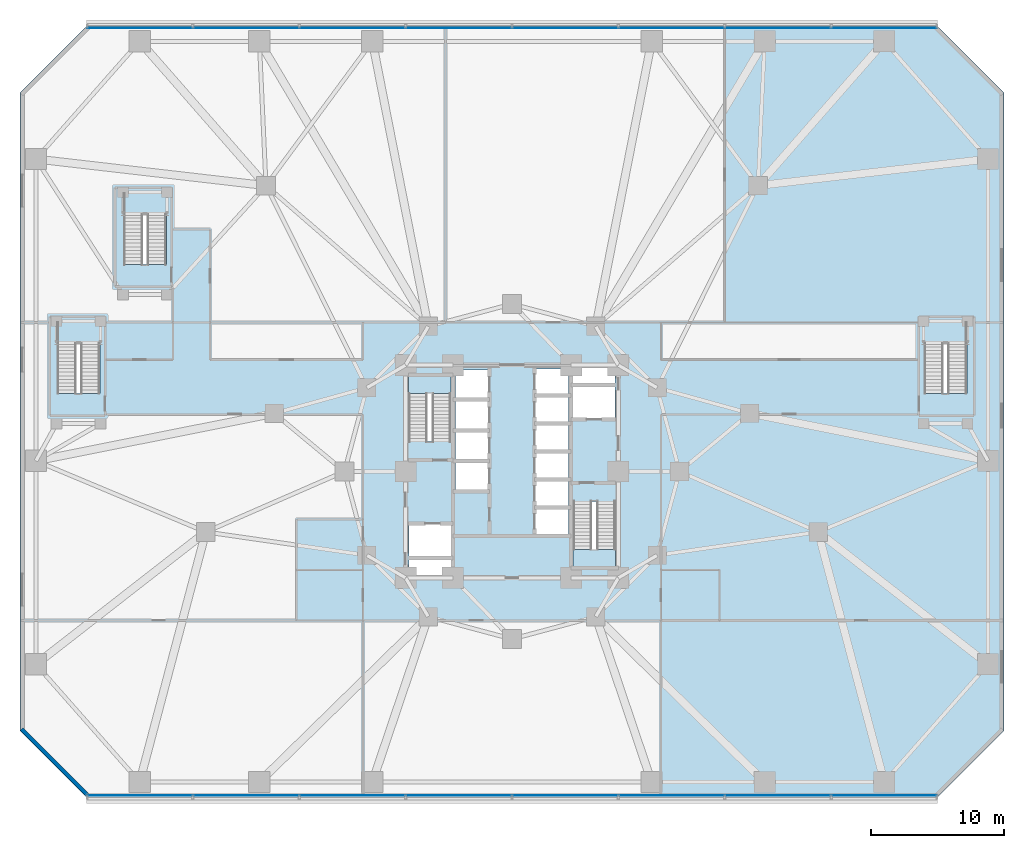
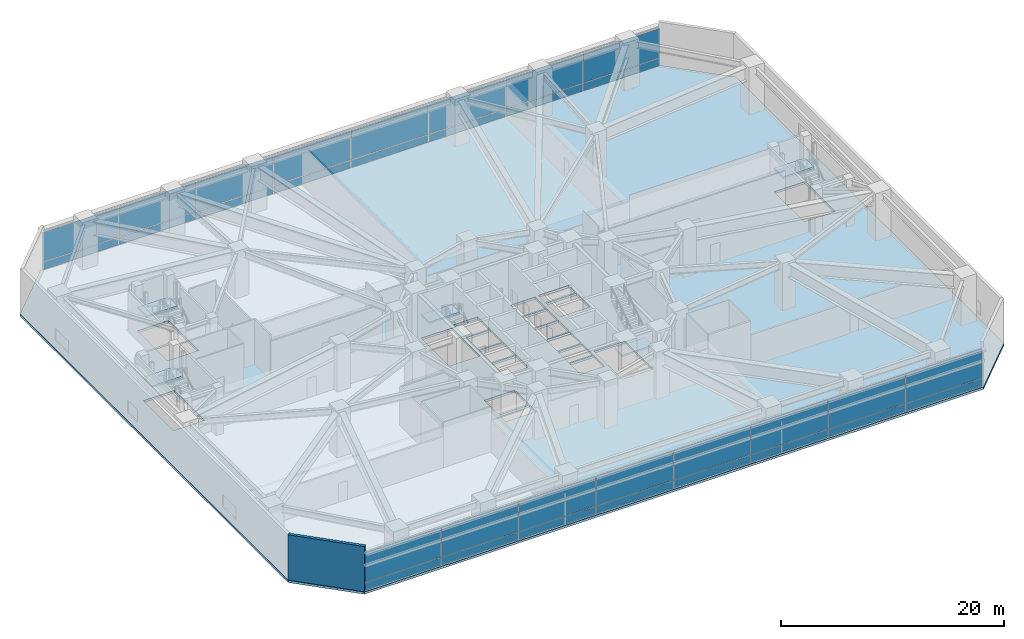
# One storey, part 14 of 27: 32 plates, 6 slabs, 1 wall, 7 elements without a shape of their own.
"""IFC4 building model written with IfcOpenShell, lengths in metres."""

import ifcopenshell
import ifcopenshell.guid

model = None  # the IFC model being written
_history = None  # IfcOwnerHistory: only IFC2X3 demands one
_inside = {}  # id of a spatial element -> (the spatial element, [elements in it])
_under = {}  # id of a project, library or spatial element -> (it, [spatial elements below it])
_declared = {}  # id of a project -> (the project, [libraries it declares])
_typed = {}  # id of a type object -> (the type object, [elements of that type])
_made_of = {}  # id of a material, layer set ... -> (it, [elements and type objects made of it])


def new_model(schema):
    """Start an empty IFC model of exactly this schema.

    Asked for "IFC4X3", IfcOpenShell would pick the latest addendum, in which some entities
    have other attributes; the version numbers below select the first issue.
    IFC2X3 requires an IfcOwnerHistory on every rooted entity: one is made here for all.
    """
    global model, _history
    if schema == "IFC4X3":
        model = ifcopenshell.file(schema_version=(4, 3, 0, 0))
    else:
        model = ifcopenshell.file(schema=schema)
    _inside.clear()
    _under.clear()
    _declared.clear()
    _typed.clear()
    _made_of.clear()
    _history = None
    if model.schema == "IFC2X3":
        org = make("IfcOrganization", Name="unknown")
        user = make(
            "IfcPersonAndOrganization",
            ThePerson=make("IfcPerson", FamilyName="unknown"),
            TheOrganization=org,
        )
        app = make(
            "IfcApplication",
            ApplicationDeveloper=org,
            Version="unknown",
            ApplicationFullName="unknown",
            ApplicationIdentifier="unknown",
        )
        _history = make(
            "IfcOwnerHistory",
            OwningUser=user,
            OwningApplication=app,
            ChangeAction="ADDED",
            CreationDate=0,
        )
    return model


def make(cls, **values):
    """One entity of the class cls with the attributes given. An attribute that is None is left unset."""
    return model.create_entity(
        cls, **{name: value for name, value in values.items() if value is not None}
    )


def rooted(cls, **values):
    """An entity with a GlobalId (a new one), such as an element, a storey or a relation."""
    return make(cls, GlobalId=ifcopenshell.guid.new(), OwnerHistory=_history, **values)


def si_unit(unit_type, name, prefix=None):
    """IfcSIUnit, for example si_unit("LENGTHUNIT", "METRE", prefix="MILLI")."""
    return make("IfcSIUnit", UnitType=unit_type, Prefix=prefix, Name=name)


def assignment(units):
    """IfcUnitAssignment: the units of a project."""
    return None if units is None else make("IfcUnitAssignment", Units=units)


def point(xyz):
    """IfcCartesianPoint."""
    return None if xyz is None else make("IfcCartesianPoint", Coordinates=xyz)


def direction(xyz):
    """IfcDirection."""
    return None if xyz is None else make("IfcDirection", DirectionRatios=xyz)


def frame(location, z_axis=None, x_axis=None):
    """IfcAxis2Placement3D, a coordinate frame: its origin and axes. An axis left out is left unset."""
    return make(
        "IfcAxis2Placement3D",
        Location=point(location),
        Axis=direction(z_axis),
        RefDirection=direction(x_axis),
    )


def frame_2d(location, x_axis=None):
    """IfcAxis2Placement2D, a coordinate frame in the plane: its origin and x axis."""
    return make(
        "IfcAxis2Placement2D", Location=point(location), RefDirection=direction(x_axis)
    )


def origin():
    """The frame at (0, 0, 0) with its axes left unset."""
    return frame((0.0, 0.0, 0.0))


def origin_2d():
    """The frame at (0, 0) in the plane with its x axis left unset."""
    return frame_2d((0.0, 0.0))


def place(relative_to, where):
    """IfcLocalPlacement: puts the frame where relative to a parent placement (None: the world)."""
    return make(
        "IfcLocalPlacement", PlacementRelTo=relative_to, RelativePlacement=where
    )


def context(
    kind, dimensions, precision=None, world=None, true_north=None, identifier=None
):
    """IfcGeometricRepresentationContext, for example the 3D "Model" context."""
    return make(
        "IfcGeometricRepresentationContext",
        ContextIdentifier=identifier,
        ContextType=kind,
        CoordinateSpaceDimension=dimensions,
        Precision=precision,
        WorldCoordinateSystem=world,
        TrueNorth=true_north,
    )


def subcontext(parent, identifier, kind, view, scale=None):
    """IfcGeometricRepresentationSubContext, for example "Body" below "Model"."""
    return make(
        "IfcGeometricRepresentationSubContext",
        ContextIdentifier=identifier,
        ContextType=kind,
        ParentContext=parent,
        TargetScale=scale,
        TargetView=view,
    )


def project(units=None, contexts=None):
    """IfcProject with its units and contexts."""
    return rooted(
        "IfcProject",
        Name="project",
        RepresentationContexts=contexts,
        UnitsInContext=assignment(units),
    )


def spatial(cls, under=None, at=None, **own):
    """A site, building, storey or space (cls), placed at a placement, below another one or the project."""
    s = rooted(cls, ObjectPlacement=at, **own)
    if under is not None:
        _under.setdefault(under.id(), (under, []))[1].append(s)
    return s


def polyline(points):
    """IfcPolyline through the points."""
    return make("IfcPolyline", Points=[point(p) for p in points])


def profile(cls, at=None, kind="AREA", **sizes):
    """A parametric profile (cls). Its sizes go by their IFC names, for example OverallWidth=200.0."""
    return make(cls, ProfileType=kind, Position=at, **sizes)


def rectangle(**sizes):
    """IfcRectangleProfileDef."""
    return profile("IfcRectangleProfileDef", **sizes)


def outline(outer, holes=None, kind="AREA"):
    """IfcArbitraryClosedProfileDef: a profile drawn as a closed curve; with holes, ...WithVoids."""
    if holes is None:
        return make("IfcArbitraryClosedProfileDef", ProfileType=kind, OuterCurve=outer)
    return make(
        "IfcArbitraryProfileDefWithVoids",
        ProfileType=kind,
        OuterCurve=outer,
        InnerCurves=holes,
    )


def extrude(swept, where, along, depth):
    """IfcExtrudedAreaSolid: the profile swept, set in the frame where, extruded along a direction by depth."""
    return make(
        "IfcExtrudedAreaSolid",
        SweptArea=swept,
        Position=where,
        ExtrudedDirection=direction(along),
        Depth=depth,
    )


def shape(context_of_items, identifier, shape_type, items):
    """IfcShapeRepresentation: the items that make up one representation, for example the "Body"."""
    return make(
        "IfcShapeRepresentation",
        ContextOfItems=context_of_items,
        RepresentationIdentifier=identifier,
        RepresentationType=shape_type,
        Items=items,
    )


def material(Name=None, Category=None):
    """IfcMaterial."""
    return make("IfcMaterial", Name=Name, Category=Category)


def layer(
    of_material, thickness, ventilated=None, Name=None, Category=None, Priority=None
):
    """IfcMaterialLayer: one layer of a wall or slab, of a material (None: an air gap)."""
    return make(
        "IfcMaterialLayer",
        Material=of_material,
        LayerThickness=thickness,
        IsVentilated=ventilated,
        Name=Name,
        Category=Category,
        Priority=Priority,
    )


def layer_set(layers, Name=None):
    """IfcMaterialLayerSet."""
    return make("IfcMaterialLayerSet", MaterialLayers=layers, LayerSetName=Name)


def made_of(thing, what):
    """Note that an element or type object is made of a material, layer set ...; save() writes the relation."""
    if what is not None:
        _made_of.setdefault(what.id(), (what, []))[1].append(thing)
    return thing


def type_object(cls, material=None, **own):
    """A type object (cls), such as IfcWallType, which elements share."""
    return made_of(rooted(cls, **own), material)


def element(
    cls,
    number,
    at=None,
    inside=None,
    cuts=None,
    type_object=None,
    material=None,
    context=None,
    identifier="Body",
    shape_type=None,
    held_by="IfcProductDefinitionShape",
    body=None,
    shapes=None,
    **own,
):
    """One element of the class cls, such as IfcWall. Its Tag is "e" and its number.

    at: its placement. inside: the storey or other place that contains it. cuts: it is an
    opening in that element (IfcRelVoidsElement). A single representation is given by context,
    identifier, shape_type and body (its items); several are given by shapes. held_by: the class
    of the entity that holds the representations. save() writes the other relations.
    """
    e = rooted(cls, Tag="e%d" % number, ObjectPlacement=at, **own)
    if body is not None:
        shapes = [shape(context, identifier, shape_type, body)]
    if shapes is not None:
        e.Representation = make(held_by, Representations=shapes)
    if inside is not None:
        _inside.setdefault(inside.id(), (inside, []))[1].append(e)
    if cuts is not None:
        rooted(
            "IfcRelVoidsElement", RelatingBuildingElement=cuts, RelatedOpeningElement=e
        )
    if type_object is not None:
        _typed.setdefault(type_object.id(), (type_object, []))[1].append(e)
    return made_of(e, material)


def aggregate(whole, parts):
    """IfcRelAggregates: a whole, such as a stair, and the parts it consists of."""
    return rooted("IfcRelAggregates", RelatingObject=whole, RelatedObjects=parts)


def save(model, path):
    """Write the relations noted so far, then the file.

    IfcRelAggregates (storeys below a building ...), IfcRelContainedInSpatialStructure (elements
    in a storey), IfcRelDefinesByType, IfcRelAssociatesMaterial and IfcRelDeclares: one each for
    every whole, place, type object, material and project.
    """
    for whole, parts in _under.values():
        aggregate(whole, parts)
    for where, things in _inside.values():
        rooted(
            "IfcRelContainedInSpatialStructure",
            RelatedElements=things,
            RelatingStructure=where,
        )
    for kind, things in _typed.values():
        rooted("IfcRelDefinesByType", RelatedObjects=things, RelatingType=kind)
    for what, things in _made_of.values():
        rooted("IfcRelAssociatesMaterial", RelatedObjects=things, RelatingMaterial=what)
    for by, libraries in _declared.values():
        rooted("IfcRelDeclares", RelatingContext=by, RelatedDefinitions=libraries)
    model.write(path)


model = new_model("IFC4")

# Units and contexts
model_context = context("Model", 3, precision=1e-05, world=origin(), true_north=direction((0.0, 1.0)))
body_context = subcontext(model_context, "Body", "Model", "MODEL_VIEW")
ifc_project = project(units=[si_unit("LENGTHUNIT", "METRE"), si_unit("AREAUNIT", "SQUARE_METRE"), si_unit("VOLUMEUNIT", "CUBIC_METRE"), si_unit("PLANEANGLEUNIT", "RADIAN"), si_unit("MASSUNIT", "GRAM", prefix="KILO")], contexts=[model_context])

# Site, building, storey
site_placement = place(None, origin())
site = spatial("IfcSite", under=ifc_project, at=site_placement, CompositionType="ELEMENT")
building_placement = place(site_placement, origin())
building = spatial("IfcBuilding", under=site, at=building_placement, Name="Terralouvre Media Tower", CompositionType="ELEMENT")
storey_placement = place(building_placement, frame((0.0, 0.0, 5.199951171875)))
storey = spatial("IfcBuildingStorey", under=building, at=storey_placement, Name="L01", CompositionType="ELEMENT", Elevation=5.199951171875)

# Slab
ifc_material_1 = material(Name="Concrete C45/55", Category="concrete")
ifc_layer_1 = layer(ifc_material_1, 0.25, Name="Podium Acoustic Studio Slab S-POD250")
ifc_layer_set_1 = layer_set([ifc_layer_1], Name="Concrete C45/55")
slab_type_1 = type_object("IfcSlabType", Name="Podium Acoustic Studio Slab S-POD250", PredefinedType="FLOOR", material=ifc_layer_set_1)
slab_1_placement = place(storey_placement, frame((0.0, 0.0, -0.25)))
element("IfcSlab", 1, at=slab_1_placement, inside=storey, type_object=slab_type_1, Name="L01 Structural Floor Slab", PredefinedType="FLOOR", context=body_context, shape_type="SweptSolid", body=[
    extrude(outline(polyline([(-32.0, -24.5), (32.0, -24.5), (37.0, -19.5), (37.0, 28.5), (32.0, 33.5), (-32.0, 33.5), (-37.0, 28.5), (-37.0, -19.5), (-32.0, -24.5)]), holes=[polyline([(-4.60009765625, -7.800048828125), (-7.75, -7.800048828125), (-7.75, -6.60009765625), (-4.60009765625, -6.60009765625), (-4.60009765625, -7.800048828125)]), polyline([(-4.60009765625, -6.39990234375), (-7.75, -6.39990234375), (-7.75, -3.949951171875), (-4.60009765625, -3.949951171875), (-4.60009765625, -6.39990234375)]), polyline([(-1.75, -1.419921875), (-4.25, -1.419921875), (-4.25, 0.719970703125), (-1.75, 0.719970703125), (-1.75, -1.419921875)]), polyline([(4.25, -0.52001953125), (1.75, -0.52001953125), (1.75, 1.419921875), (4.25, 1.419921875), (4.25, -0.52001953125)]), polyline([(-1.75, 0.8798828125), (-4.25, 0.8798828125), (-4.25, 3.02001953125), (-1.75, 3.02001953125), (-1.75, 0.8798828125)]), polyline([(-1.75, 3.179931640625), (-4.25, 3.179931640625), (-4.25, 5.320068359375), (-1.75, 5.320068359375), (-1.75, 3.179931640625)]), polyline([(-4.60009765625, 2.2451171875), (-7.780029296875, 2.2451171875), (-7.780029296875, 7.260009765625), (-4.60009765625, 7.260009765625), (-4.60009765625, 2.2451171875)]), polyline([(-4.25, 5.47998046875), (-4.25, 7.6201171875), (-1.75, 7.6201171875), (-1.75, 5.47998046875), (-4.25, 5.47998046875)]), polyline([(-34.199951171875, 5.875), (-34.199951171875, 11.25), (-31.0, 11.25), (-31.0, 5.875), (-34.199951171875, 5.875)]), polyline([(-26.0, 15.574951171875), (-29.199951171875, 15.574951171875), (-29.199951171875, 20.949951171875), (-26.0, 20.949951171875), (-26.0, 15.574951171875)]), polyline([(4.60009765625, -2.2451171875), (7.780029296875, -2.2451171875), (7.780029296875, -7.260009765625), (4.60009765625, -7.260009765625), (4.60009765625, -2.2451171875)]), polyline([(4.25, -4.719970703125), (1.75, -4.719970703125), (1.75, -2.780029296875), (4.25, -2.780029296875), (4.25, -4.719970703125)]), polyline([(1.75, -2.6201171875), (1.75, -0.679931640625), (4.25, -0.679931640625), (4.25, -2.6201171875), (1.75, -2.6201171875)]), polyline([(1.75, 1.580078125), (1.75, 3.52001953125), (4.25, 3.52001953125), (4.25, 1.580078125), (1.75, 1.580078125)]), polyline([(4.25, 3.679931640625), (1.75, 3.679931640625), (1.75, 5.6201171875), (4.25, 5.6201171875), (4.25, 3.679931640625)]), polyline([(7.75, 3.949951171875), (4.60009765625, 3.949951171875), (4.60009765625, 6.39990234375), (7.75, 6.39990234375), (7.75, 3.949951171875)]), polyline([(4.25, 5.780029296875), (1.75, 5.780029296875), (1.75, 7.719970703125), (4.25, 7.719970703125), (4.25, 5.780029296875)]), polyline([(4.60009765625, 6.60009765625), (4.60009765625, 7.800048828125), (7.75, 7.800048828125), (7.75, 6.60009765625), (4.60009765625, 6.60009765625)]), polyline([(31.0, 5.875), (31.0, 11.25), (34.199951171875, 11.25), (34.199951171875, 5.875), (31.0, 5.875)])]), origin(), (0.0, 0.0, 1.0), 0.25),
])

# Stair, slab
ifc_material_2 = material(Name="Concrete C45/55", Category="concrete")
stair_type_1 = type_object("IfcStairType", Name="Dogleg Stair Assembly ST-01", PredefinedType="HALF_TURN_STAIR", material=ifc_material_2)
stair_1_placement = place(storey_placement, origin())
stair_1 = element("IfcStair", 2, at=stair_1_placement, inside=storey, type_object=stair_type_1, Name="L01 Core Pressurised Exit Stair ST-01", PredefinedType="HALF_TURN_STAIR")
ifc_material_3 = material(Name="Concrete C45/55", Category="concrete")
ifc_layer_2 = layer(ifc_material_3, 0.199951171875, Name="Reinforced Concrete Stair Half-Landing SL-LD1")
ifc_layer_set_2 = layer_set([ifc_layer_2], Name="Concrete C45/55")
slab_type_2 = type_object("IfcSlabType", Name="Reinforced Concrete Stair Half-Landing SL-LD1", PredefinedType="LANDING", material=ifc_layer_set_2)
slab_2_placement = place(storey_placement, frame((0.0, 0.0, 2.400146484375)))
slab_2 = element("IfcSlab", 3, at=slab_2_placement, type_object=slab_type_2, Name="ST-01 landing 1", PredefinedType="LANDING", context=body_context, shape_type="SweptSolid", body=[
    extrude(outline(polyline([(-4.60009765625, 5.860107421875), (-4.60009765625, 7.260009765625), (-7.780029296875, 7.260009765625), (-7.780029296875, 5.860107421875), (-4.60009765625, 5.860107421875)])), origin(), (0.0, 0.0, 1.0), 0.199951171875),
])
aggregate(stair_1, [slab_2])

ifc_material_4 = material(Name="Concrete C45/55", Category="concrete")
stair_type_2 = type_object("IfcStairType", Name="Dogleg Stair Assembly ST-02", PredefinedType="HALF_TURN_STAIR", material=ifc_material_4)
stair_2_placement = place(storey_placement, origin())
stair_2 = element("IfcStair", 4, at=stair_2_placement, inside=storey, type_object=stair_type_2, Name="L01 Core Pressurised Exit Stair ST-02", PredefinedType="HALF_TURN_STAIR")
slab_3_placement = place(storey_placement, frame((0.0, 0.0, 2.400146484375)))
slab_3 = element("IfcSlab", 5, at=slab_3_placement, type_object=slab_type_2, Name="ST-02 landing 1", PredefinedType="LANDING", context=body_context, shape_type="SweptSolid", body=[
    extrude(outline(polyline([(4.60009765625, -5.860107421875), (4.60009765625, -7.260009765625), (7.780029296875, -7.260009765625), (7.780029296875, -5.860107421875), (4.60009765625, -5.860107421875)])), origin(), (0.0, 0.0, 1.0), 0.199951171875),
])
aggregate(stair_2, [slab_3])

ifc_material_5 = material(Name="Concrete C45/55", Category="concrete")
stair_type_3 = type_object("IfcStairType", Name="Dogleg Stair Assembly ST-03", PredefinedType="HALF_TURN_STAIR", material=ifc_material_5)
stair_3_placement = place(storey_placement, origin())
stair_3 = element("IfcStair", 6, at=stair_3_placement, inside=storey, type_object=stair_type_3, Name="L01 West Podium Exit Stair ST-03", PredefinedType="HALF_TURN_STAIR")
slab_4_placement = place(storey_placement, frame((0.0, 0.0, 2.400146484375)))
slab_4 = element("IfcSlab", 7, at=slab_4_placement, type_object=slab_type_2, Name="ST-03 landing 1", PredefinedType="LANDING", context=body_context, shape_type="SweptSolid", body=[
    extrude(outline(polyline([(-31.0, 9.6298828125), (-31.0, 11.25), (-34.199951171875, 11.25), (-34.199951171875, 9.6298828125), (-31.0, 9.6298828125)])), origin(), (0.0, 0.0, 1.0), 0.199951171875),
])
aggregate(stair_3, [slab_4])

ifc_material_6 = material(Name="Concrete C45/55", Category="concrete")
stair_type_4 = type_object("IfcStairType", Name="Dogleg Stair Assembly ST-04", PredefinedType="HALF_TURN_STAIR", material=ifc_material_6)
stair_4_placement = place(storey_placement, origin())
stair_4 = element("IfcStair", 8, at=stair_4_placement, inside=storey, type_object=stair_type_4, Name="L01 East Podium Exit Stair ST-04", PredefinedType="HALF_TURN_STAIR")
slab_5_placement = place(storey_placement, frame((0.0, 0.0, 2.400146484375)))
slab_5 = element("IfcSlab", 9, at=slab_5_placement, type_object=slab_type_2, Name="ST-04 landing 1", PredefinedType="LANDING", context=body_context, shape_type="SweptSolid", body=[
    extrude(outline(polyline([(34.199951171875, 9.6298828125), (34.199951171875, 11.25), (31.0, 11.25), (31.0, 9.6298828125), (34.199951171875, 9.6298828125)])), origin(), (0.0, 0.0, 1.0), 0.199951171875),
])
aggregate(stair_4, [slab_5])

ifc_material_7 = material(Name="Concrete C45/55", Category="concrete")
stair_type_5 = type_object("IfcStairType", Name="Dogleg Stair Assembly ST-06", PredefinedType="HALF_TURN_STAIR", material=ifc_material_7)
stair_5_placement = place(storey_placement, origin())
stair_5 = element("IfcStair", 10, at=stair_5_placement, inside=storey, type_object=stair_type_5, Name="L01 Podium Garden Visitor Stair ST-06", PredefinedType="HALF_TURN_STAIR")
slab_6_placement = place(storey_placement, frame((0.0, 0.0, 2.400146484375)))
slab_6 = element("IfcSlab", 11, at=slab_6_placement, type_object=slab_type_2, Name="ST-06 landing 1", PredefinedType="LANDING", context=body_context, shape_type="SweptSolid", body=[
    extrude(outline(polyline([(-26.0, 19.330078125), (-26.0, 20.949951171875), (-29.199951171875, 20.949951171875), (-29.199951171875, 19.330078125), (-26.0, 19.330078125)])), origin(), (0.0, 0.0, 1.0), 0.199951171875),
])
aggregate(stair_5, [slab_6])

# Curtain wall, plates
ifc_material_8 = material(Name="Low-iron laminated double glazing with solar-control coating", Category="glass")
ifc_layer_3 = layer(ifc_material_8, 0.1650390625, Name="Podium Broadcast Gallery Glazing CW-01")
ifc_layer_set_3 = layer_set([ifc_layer_3], Name="Low-iron laminated double glazing with solar-control coating")
curtain_wall_type = type_object("IfcCurtainWallType", Name="Podium Broadcast Gallery Glazing CW-01", PredefinedType="NOTDEFINED", material=ifc_layer_set_3)
curtain_wall_1_placement = place(storey_placement, origin())
curtain_wall_1 = element("IfcCurtainWall", 12, at=curtain_wall_1_placement, inside=storey, type_object=curtain_wall_type, Name="L01 Podium Curtain Wall F0", PredefinedType="NOTDEFINED")
ifc_material_9 = material(Name="Low-iron laminated double glazing with solar-control coating", Category="glass")
ifc_layer_4 = layer(ifc_material_9, 0.035888671875, Name="Vision Double-Glazed Unit CWP-01")
ifc_layer_set_4 = layer_set([ifc_layer_4], Name="Low-iron laminated double glazing with solar-control coating")
plate_type = type_object("IfcPlateType", Name="Vision Double-Glazed Unit CWP-01", PredefinedType="CURTAIN_PANEL", material=ifc_layer_set_4)
plate_1_placement = place(storey_placement, frame((-27.981201171875, -24.360107421875, 0.074951171875), z_axis=(0.0, 0.0, 1.0), x_axis=(1.0, 0.0, 0.0)))
plate_1 = element("IfcPlate", 13, at=plate_1_placement, type_object=plate_type, Name="CW-01 panel 1.1", PredefinedType="CURTAIN_PANEL", context=body_context, shape_type="SweptSolid", body=[
    extrude(rectangle(XDim=7.887451171875, YDim=0.035888671875, at=origin_2d()), origin(), (0.0, 0.0, 1.0), 0.78759765625),
])
plate_2_placement = place(storey_placement, frame((-27.981201171875, -24.360107421875, 0.9375), z_axis=(0.0, 0.0, 1.0), x_axis=(1.0, 0.0, 0.0)))
plate_2 = element("IfcPlate", 14, at=plate_2_placement, type_object=plate_type, Name="CW-01 panel 1.2", PredefinedType="CURTAIN_PANEL", context=body_context, shape_type="SweptSolid", body=[
    extrude(rectangle(XDim=7.887451171875, YDim=0.035888671875, at=origin_2d()), origin(), (0.0, 0.0, 1.0), 3.217529296875),
])
plate_3_placement = place(storey_placement, frame((-20.0, -24.360107421875, 0.074951171875), z_axis=(0.0, 0.0, 1.0), x_axis=(1.0, 0.0, 0.0)))
plate_3 = element("IfcPlate", 15, at=plate_3_placement, type_object=plate_type, Name="CW-01 panel 2.1", PredefinedType="CURTAIN_PANEL", context=body_context, shape_type="SweptSolid", body=[
    extrude(rectangle(XDim=7.925048828125, YDim=0.035888671875, at=origin_2d()), origin(), (0.0, 0.0, 1.0), 0.78759765625),
])
plate_4_placement = place(storey_placement, frame((-20.0, -24.360107421875, 0.9375), z_axis=(0.0, 0.0, 1.0), x_axis=(1.0, 0.0, 0.0)))
plate_4 = element("IfcPlate", 16, at=plate_4_placement, type_object=plate_type, Name="CW-01 panel 2.2", PredefinedType="CURTAIN_PANEL", context=body_context, shape_type="SweptSolid", body=[
    extrude(rectangle(XDim=7.925048828125, YDim=0.035888671875, at=origin_2d()), origin(), (0.0, 0.0, 1.0), 3.217529296875),
])
plate_5_placement = place(storey_placement, frame((-12.0, -24.360107421875, 0.074951171875), z_axis=(0.0, 0.0, 1.0), x_axis=(1.0, 0.0, 0.0)))
plate_5 = element("IfcPlate", 17, at=plate_5_placement, type_object=plate_type, Name="CW-01 panel 3.1", PredefinedType="CURTAIN_PANEL", context=body_context, shape_type="SweptSolid", body=[
    extrude(rectangle(XDim=7.925048828125, YDim=0.035888671875, at=origin_2d()), origin(), (0.0, 0.0, 1.0), 0.78759765625),
])
plate_6_placement = place(storey_placement, frame((-12.0, -24.360107421875, 0.9375), z_axis=(0.0, 0.0, 1.0), x_axis=(1.0, 0.0, 0.0)))
plate_6 = element("IfcPlate", 18, at=plate_6_placement, type_object=plate_type, Name="CW-01 panel 3.2", PredefinedType="CURTAIN_PANEL", context=body_context, shape_type="SweptSolid", body=[
    extrude(rectangle(XDim=7.925048828125, YDim=0.035888671875, at=origin_2d()), origin(), (0.0, 0.0, 1.0), 3.217529296875),
])
plate_7_placement = place(storey_placement, frame((-4.0, -24.360107421875, 0.074951171875), z_axis=(0.0, 0.0, 1.0), x_axis=(1.0, 0.0, 0.0)))
plate_7 = element("IfcPlate", 19, at=plate_7_placement, type_object=plate_type, Name="CW-01 panel 4.1", PredefinedType="CURTAIN_PANEL", context=body_context, shape_type="SweptSolid", body=[
    extrude(rectangle(XDim=7.925048828125, YDim=0.035888671875, at=origin_2d()), origin(), (0.0, 0.0, 1.0), 0.78759765625),
])
plate_8_placement = place(storey_placement, frame((-4.0, -24.360107421875, 0.9375), z_axis=(0.0, 0.0, 1.0), x_axis=(1.0, 0.0, 0.0)))
plate_8 = element("IfcPlate", 20, at=plate_8_placement, type_object=plate_type, Name="CW-01 panel 4.2", PredefinedType="CURTAIN_PANEL", context=body_context, shape_type="SweptSolid", body=[
    extrude(rectangle(XDim=7.925048828125, YDim=0.035888671875, at=origin_2d()), origin(), (0.0, 0.0, 1.0), 3.217529296875),
])
plate_9_placement = place(storey_placement, frame((4.0, -24.360107421875, 0.074951171875), z_axis=(0.0, 0.0, 1.0), x_axis=(1.0, 0.0, 0.0)))
plate_9 = element("IfcPlate", 21, at=plate_9_placement, type_object=plate_type, Name="CW-01 panel 5.1", PredefinedType="CURTAIN_PANEL", context=body_context, shape_type="SweptSolid", body=[
    extrude(rectangle(XDim=7.925048828125, YDim=0.035888671875, at=origin_2d()), origin(), (0.0, 0.0, 1.0), 0.78759765625),
])
plate_10_placement = place(storey_placement, frame((4.0, -24.360107421875, 0.9375), z_axis=(0.0, 0.0, 1.0), x_axis=(1.0, 0.0, 0.0)))
plate_10 = element("IfcPlate", 22, at=plate_10_placement, type_object=plate_type, Name="CW-01 panel 5.2", PredefinedType="CURTAIN_PANEL", context=body_context, shape_type="SweptSolid", body=[
    extrude(rectangle(XDim=7.925048828125, YDim=0.035888671875, at=origin_2d()), origin(), (0.0, 0.0, 1.0), 3.217529296875),
])
plate_11_placement = place(storey_placement, frame((12.0, -24.360107421875, 0.074951171875), z_axis=(0.0, 0.0, 1.0), x_axis=(1.0, 0.0, 0.0)))
plate_11 = element("IfcPlate", 23, at=plate_11_placement, type_object=plate_type, Name="CW-01 panel 6.1", PredefinedType="CURTAIN_PANEL", context=body_context, shape_type="SweptSolid", body=[
    extrude(rectangle(XDim=7.925048828125, YDim=0.035888671875, at=origin_2d()), origin(), (0.0, 0.0, 1.0), 0.78759765625),
])
plate_12_placement = place(storey_placement, frame((12.0, -24.360107421875, 0.9375), z_axis=(0.0, 0.0, 1.0), x_axis=(1.0, 0.0, 0.0)))
plate_12 = element("IfcPlate", 24, at=plate_12_placement, type_object=plate_type, Name="CW-01 panel 6.2", PredefinedType="CURTAIN_PANEL", context=body_context, shape_type="SweptSolid", body=[
    extrude(rectangle(XDim=7.925048828125, YDim=0.035888671875, at=origin_2d()), origin(), (0.0, 0.0, 1.0), 3.217529296875),
])
plate_13_placement = place(storey_placement, frame((20.0, -24.360107421875, 0.074951171875), z_axis=(0.0, 0.0, 1.0), x_axis=(1.0, 0.0, 0.0)))
plate_13 = element("IfcPlate", 25, at=plate_13_placement, type_object=plate_type, Name="CW-01 panel 7.1", PredefinedType="CURTAIN_PANEL", context=body_context, shape_type="SweptSolid", body=[
    extrude(rectangle(XDim=7.925048828125, YDim=0.035888671875, at=origin_2d()), origin(), (0.0, 0.0, 1.0), 0.78759765625),
])
plate_14_placement = place(storey_placement, frame((20.0, -24.360107421875, 0.9375), z_axis=(0.0, 0.0, 1.0), x_axis=(1.0, 0.0, 0.0)))
plate_14 = element("IfcPlate", 26, at=plate_14_placement, type_object=plate_type, Name="CW-01 panel 7.2", PredefinedType="CURTAIN_PANEL", context=body_context, shape_type="SweptSolid", body=[
    extrude(rectangle(XDim=7.925048828125, YDim=0.035888671875, at=origin_2d()), origin(), (0.0, 0.0, 1.0), 3.217529296875),
])
plate_15_placement = place(storey_placement, frame((27.981201171875, -24.360107421875, 0.074951171875), z_axis=(0.0, 0.0, 1.0), x_axis=(1.0, 0.0, 0.0)))
plate_15 = element("IfcPlate", 27, at=plate_15_placement, type_object=plate_type, Name="CW-01 panel 8.1", PredefinedType="CURTAIN_PANEL", context=body_context, shape_type="SweptSolid", body=[
    extrude(rectangle(XDim=7.887451171875, YDim=0.035888671875, at=origin_2d()), origin(), (0.0, 0.0, 1.0), 0.78759765625),
])
plate_16_placement = place(storey_placement, frame((27.981201171875, -24.360107421875, 0.9375), z_axis=(0.0, 0.0, 1.0), x_axis=(1.0, 0.0, 0.0)))
plate_16 = element("IfcPlate", 28, at=plate_16_placement, type_object=plate_type, Name="CW-01 panel 8.2", PredefinedType="CURTAIN_PANEL", context=body_context, shape_type="SweptSolid", body=[
    extrude(rectangle(XDim=7.887451171875, YDim=0.035888671875, at=origin_2d()), origin(), (0.0, 0.0, 1.0), 3.217529296875),
])
aggregate(curtain_wall_1, [plate_1, plate_2, plate_3, plate_4, plate_5, plate_6, plate_7, plate_8, plate_9, plate_10, plate_11, plate_12, plate_13, plate_14, plate_15, plate_16])

curtain_wall_2_placement = place(storey_placement, origin())
curtain_wall_2 = element("IfcCurtainWall", 29, at=curtain_wall_2_placement, inside=storey, type_object=curtain_wall_type, Name="L01 Podium Curtain Wall F4", PredefinedType="NOTDEFINED")
plate_17_placement = place(storey_placement, frame((27.981201171875, 33.360107421875, 0.074951171875), z_axis=(0.0, 0.0, 1.0), x_axis=(-1.0, 0.0, 0.0)))
plate_17 = element("IfcPlate", 30, at=plate_17_placement, type_object=plate_type, Name="CW-01 panel 1.1", PredefinedType="CURTAIN_PANEL", context=body_context, shape_type="SweptSolid", body=[
    extrude(rectangle(XDim=7.887451171875, YDim=0.035888671875, at=origin_2d()), origin(), (0.0, 0.0, 1.0), 0.78759765625),
])
plate_18_placement = place(storey_placement, frame((27.981201171875, 33.360107421875, 0.9375), z_axis=(0.0, 0.0, 1.0), x_axis=(-1.0, 0.0, 0.0)))
plate_18 = element("IfcPlate", 31, at=plate_18_placement, type_object=plate_type, Name="CW-01 panel 1.2", PredefinedType="CURTAIN_PANEL", context=body_context, shape_type="SweptSolid", body=[
    extrude(rectangle(XDim=7.887451171875, YDim=0.035888671875, at=origin_2d()), origin(), (0.0, 0.0, 1.0), 3.217529296875),
])
plate_19_placement = place(storey_placement, frame((20.0, 33.360107421875, 0.074951171875), z_axis=(0.0, 0.0, 1.0), x_axis=(-1.0, 0.0, 0.0)))
plate_19 = element("IfcPlate", 32, at=plate_19_placement, type_object=plate_type, Name="CW-01 panel 2.1", PredefinedType="CURTAIN_PANEL", context=body_context, shape_type="SweptSolid", body=[
    extrude(rectangle(XDim=7.925048828125, YDim=0.035888671875, at=origin_2d()), origin(), (0.0, 0.0, 1.0), 0.78759765625),
])
plate_20_placement = place(storey_placement, frame((20.0, 33.360107421875, 0.9375), z_axis=(0.0, 0.0, 1.0), x_axis=(-1.0, 0.0, 0.0)))
plate_20 = element("IfcPlate", 33, at=plate_20_placement, type_object=plate_type, Name="CW-01 panel 2.2", PredefinedType="CURTAIN_PANEL", context=body_context, shape_type="SweptSolid", body=[
    extrude(rectangle(XDim=7.925048828125, YDim=0.035888671875, at=origin_2d()), origin(), (0.0, 0.0, 1.0), 3.217529296875),
])
plate_21_placement = place(storey_placement, frame((12.0, 33.360107421875, 0.074951171875), z_axis=(0.0, 0.0, 1.0), x_axis=(-1.0, 0.0, 0.0)))
plate_21 = element("IfcPlate", 34, at=plate_21_placement, type_object=plate_type, Name="CW-01 panel 3.1", PredefinedType="CURTAIN_PANEL", context=body_context, shape_type="SweptSolid", body=[
    extrude(rectangle(XDim=7.925048828125, YDim=0.035888671875, at=origin_2d()), origin(), (0.0, 0.0, 1.0), 0.78759765625),
])
plate_22_placement = place(storey_placement, frame((12.0, 33.360107421875, 0.9375), z_axis=(0.0, 0.0, 1.0), x_axis=(-1.0, 0.0, 0.0)))
plate_22 = element("IfcPlate", 35, at=plate_22_placement, type_object=plate_type, Name="CW-01 panel 3.2", PredefinedType="CURTAIN_PANEL", context=body_context, shape_type="SweptSolid", body=[
    extrude(rectangle(XDim=7.925048828125, YDim=0.035888671875, at=origin_2d()), origin(), (0.0, 0.0, 1.0), 3.217529296875),
])
plate_23_placement = place(storey_placement, frame((4.0, 33.360107421875, 0.074951171875), z_axis=(0.0, 0.0, 1.0), x_axis=(-1.0, 0.0, 0.0)))
plate_23 = element("IfcPlate", 36, at=plate_23_placement, type_object=plate_type, Name="CW-01 panel 4.1", PredefinedType="CURTAIN_PANEL", context=body_context, shape_type="SweptSolid", body=[
    extrude(rectangle(XDim=7.925048828125, YDim=0.035888671875, at=origin_2d()), origin(), (0.0, 0.0, 1.0), 0.78759765625),
])
plate_24_placement = place(storey_placement, frame((4.0, 33.360107421875, 0.9375), z_axis=(0.0, 0.0, 1.0), x_axis=(-1.0, 0.0, 0.0)))
plate_24 = element("IfcPlate", 37, at=plate_24_placement, type_object=plate_type, Name="CW-01 panel 4.2", PredefinedType="CURTAIN_PANEL", context=body_context, shape_type="SweptSolid", body=[
    extrude(rectangle(XDim=7.925048828125, YDim=0.035888671875, at=origin_2d()), origin(), (0.0, 0.0, 1.0), 3.217529296875),
])
plate_25_placement = place(storey_placement, frame((-4.0, 33.360107421875, 0.074951171875), z_axis=(0.0, 0.0, 1.0), x_axis=(-1.0, 0.0, 0.0)))
plate_25 = element("IfcPlate", 38, at=plate_25_placement, type_object=plate_type, Name="CW-01 panel 5.1", PredefinedType="CURTAIN_PANEL", context=body_context, shape_type="SweptSolid", body=[
    extrude(rectangle(XDim=7.925048828125, YDim=0.035888671875, at=origin_2d()), origin(), (0.0, 0.0, 1.0), 0.78759765625),
])
plate_26_placement = place(storey_placement, frame((-4.0, 33.360107421875, 0.9375), z_axis=(0.0, 0.0, 1.0), x_axis=(-1.0, 0.0, 0.0)))
plate_26 = element("IfcPlate", 39, at=plate_26_placement, type_object=plate_type, Name="CW-01 panel 5.2", PredefinedType="CURTAIN_PANEL", context=body_context, shape_type="SweptSolid", body=[
    extrude(rectangle(XDim=7.925048828125, YDim=0.035888671875, at=origin_2d()), origin(), (0.0, 0.0, 1.0), 3.217529296875),
])
plate_27_placement = place(storey_placement, frame((-12.0, 33.360107421875, 0.074951171875), z_axis=(0.0, 0.0, 1.0), x_axis=(-1.0, 0.0, 0.0)))
plate_27 = element("IfcPlate", 40, at=plate_27_placement, type_object=plate_type, Name="CW-01 panel 6.1", PredefinedType="CURTAIN_PANEL", context=body_context, shape_type="SweptSolid", body=[
    extrude(rectangle(XDim=7.925048828125, YDim=0.035888671875, at=origin_2d()), origin(), (0.0, 0.0, 1.0), 0.78759765625),
])
plate_28_placement = place(storey_placement, frame((-12.0, 33.360107421875, 0.9375), z_axis=(0.0, 0.0, 1.0), x_axis=(-1.0, 0.0, 0.0)))
plate_28 = element("IfcPlate", 41, at=plate_28_placement, type_object=plate_type, Name="CW-01 panel 6.2", PredefinedType="CURTAIN_PANEL", context=body_context, shape_type="SweptSolid", body=[
    extrude(rectangle(XDim=7.925048828125, YDim=0.035888671875, at=origin_2d()), origin(), (0.0, 0.0, 1.0), 3.217529296875),
])
plate_29_placement = place(storey_placement, frame((-20.0, 33.360107421875, 0.074951171875), z_axis=(0.0, 0.0, 1.0), x_axis=(-1.0, 0.0, 0.0)))
plate_29 = element("IfcPlate", 42, at=plate_29_placement, type_object=plate_type, Name="CW-01 panel 7.1", PredefinedType="CURTAIN_PANEL", context=body_context, shape_type="SweptSolid", body=[
    extrude(rectangle(XDim=7.925048828125, YDim=0.035888671875, at=origin_2d()), origin(), (0.0, 0.0, 1.0), 0.78759765625),
])
plate_30_placement = place(storey_placement, frame((-20.0, 33.360107421875, 0.9375), z_axis=(0.0, 0.0, 1.0), x_axis=(-1.0, 0.0, 0.0)))
plate_30 = element("IfcPlate", 43, at=plate_30_placement, type_object=plate_type, Name="CW-01 panel 7.2", PredefinedType="CURTAIN_PANEL", context=body_context, shape_type="SweptSolid", body=[
    extrude(rectangle(XDim=7.925048828125, YDim=0.035888671875, at=origin_2d()), origin(), (0.0, 0.0, 1.0), 3.217529296875),
])
plate_31_placement = place(storey_placement, frame((-27.981201171875, 33.360107421875, 0.074951171875), z_axis=(0.0, 0.0, 1.0), x_axis=(-1.0, 0.0, 0.0)))
plate_31 = element("IfcPlate", 44, at=plate_31_placement, type_object=plate_type, Name="CW-01 panel 8.1", PredefinedType="CURTAIN_PANEL", context=body_context, shape_type="SweptSolid", body=[
    extrude(rectangle(XDim=7.887451171875, YDim=0.035888671875, at=origin_2d()), origin(), (0.0, 0.0, 1.0), 0.78759765625),
])
plate_32_placement = place(storey_placement, frame((-27.981201171875, 33.360107421875, 0.9375), z_axis=(0.0, 0.0, 1.0), x_axis=(-1.0, 0.0, 0.0)))
plate_32 = element("IfcPlate", 45, at=plate_32_placement, type_object=plate_type, Name="CW-01 panel 8.2", PredefinedType="CURTAIN_PANEL", context=body_context, shape_type="SweptSolid", body=[
    extrude(rectangle(XDim=7.887451171875, YDim=0.035888671875, at=origin_2d()), origin(), (0.0, 0.0, 1.0), 3.217529296875),
])
aggregate(curtain_wall_2, [plate_17, plate_18, plate_19, plate_20, plate_21, plate_22, plate_23, plate_24, plate_25, plate_26, plate_27, plate_28, plate_29, plate_30, plate_31, plate_32])

# Wall
ifc_material_10 = material(Name="Kiln-fired architectural terracotta rainscreen cladding", Category="masonry")
ifc_layer_5 = layer(ifc_material_10, 0.300048828125, Name="Podium Acoustic Terracotta Cladding Wall EW-TC300")
ifc_layer_set_5 = layer_set([ifc_layer_5], Name="Kiln-fired architectural terracotta rainscreen cladding")
wall_type = type_object("IfcWallType", Name="Podium Acoustic Terracotta Cladding Wall EW-TC300", PredefinedType="SOLIDWALL", material=ifc_layer_set_5)
wall_placement = place(storey_placement, frame((-36.876220703125, -19.376220703125, 0.0), z_axis=(0.0, 0.0, 1.0), x_axis=(0.707106781187, -0.707106781187, 0.0)))
element("IfcWall", 46, at=wall_placement, inside=storey, type_object=wall_type, Name="L01 Podium Terracotta Wall F7", PredefinedType="SOLIDWALL", context=body_context, shape_type="SweptSolid", body=[
    extrude(rectangle(XDim=7.071044921875, YDim=0.300048828125, at=frame_2d((3.53564453125, 0.0))), origin(), (0.0, 0.0, 1.0), 4.949951171875),
])

save(model, "model.ifc")
